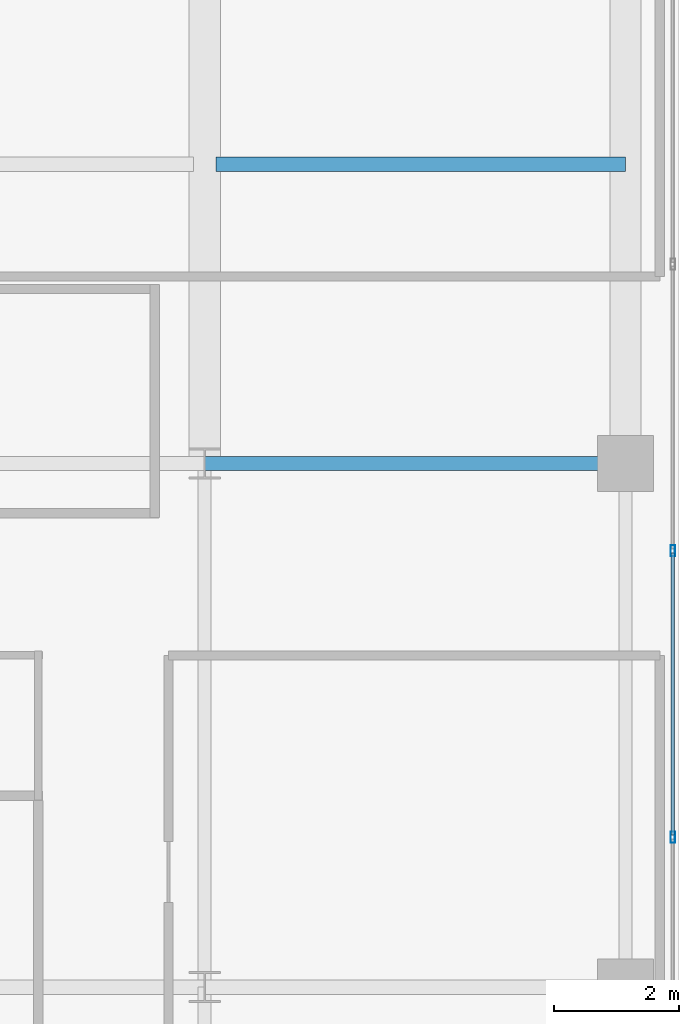
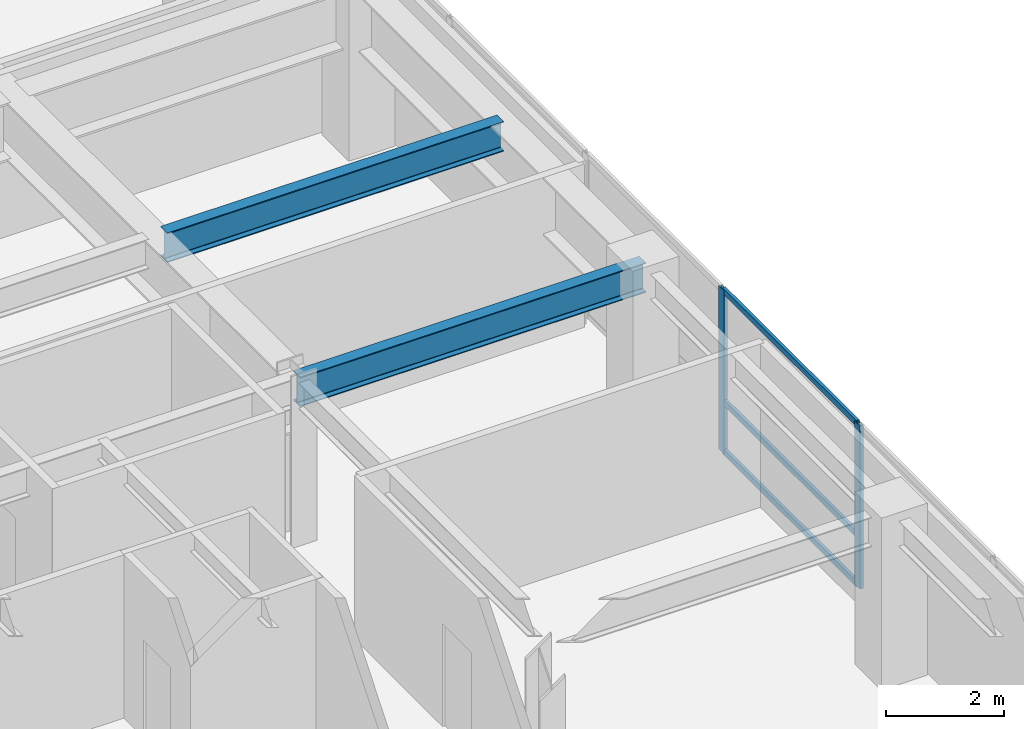
# One storey, part 11 of 25: 5 members, 2 beams, 1 element without a shape of its own.
"""IFC4 building model written with IfcOpenShell, lengths in metres."""

import ifcopenshell
import ifcopenshell.guid

model = None  # the IFC model being written
_history = None  # IfcOwnerHistory: only IFC2X3 demands one
_inside = {}  # id of a spatial element -> (the spatial element, [elements in it])
_under = {}  # id of a project, library or spatial element -> (it, [spatial elements below it])
_declared = {}  # id of a project -> (the project, [libraries it declares])
_typed = {}  # id of a type object -> (the type object, [elements of that type])
_made_of = {}  # id of a material, layer set ... -> (it, [elements and type objects made of it])


def new_model(schema):
    """Start an empty IFC model of exactly this schema.

    Asked for "IFC4X3", IfcOpenShell would pick the latest addendum, in which some entities
    have other attributes; the version numbers below select the first issue.
    IFC2X3 requires an IfcOwnerHistory on every rooted entity: one is made here for all.
    """
    global model, _history
    if schema == "IFC4X3":
        model = ifcopenshell.file(schema_version=(4, 3, 0, 0))
    else:
        model = ifcopenshell.file(schema=schema)
    _inside.clear()
    _under.clear()
    _declared.clear()
    _typed.clear()
    _made_of.clear()
    _history = None
    if model.schema == "IFC2X3":
        org = make("IfcOrganization", Name="unknown")
        user = make(
            "IfcPersonAndOrganization",
            ThePerson=make("IfcPerson", FamilyName="unknown"),
            TheOrganization=org,
        )
        app = make(
            "IfcApplication",
            ApplicationDeveloper=org,
            Version="unknown",
            ApplicationFullName="unknown",
            ApplicationIdentifier="unknown",
        )
        _history = make(
            "IfcOwnerHistory",
            OwningUser=user,
            OwningApplication=app,
            ChangeAction="ADDED",
            CreationDate=0,
        )
    return model


def make(cls, **values):
    """One entity of the class cls with the attributes given. An attribute that is None is left unset."""
    return model.create_entity(
        cls, **{name: value for name, value in values.items() if value is not None}
    )


def rooted(cls, **values):
    """An entity with a GlobalId (a new one), such as an element, a storey or a relation."""
    return make(cls, GlobalId=ifcopenshell.guid.new(), OwnerHistory=_history, **values)


def si_unit(unit_type, name, prefix=None):
    """IfcSIUnit, for example si_unit("LENGTHUNIT", "METRE", prefix="MILLI")."""
    return make("IfcSIUnit", UnitType=unit_type, Prefix=prefix, Name=name)


def assignment(units):
    """IfcUnitAssignment: the units of a project."""
    return None if units is None else make("IfcUnitAssignment", Units=units)


def point(xyz):
    """IfcCartesianPoint."""
    return None if xyz is None else make("IfcCartesianPoint", Coordinates=xyz)


def direction(xyz):
    """IfcDirection."""
    return None if xyz is None else make("IfcDirection", DirectionRatios=xyz)


def frame(location, z_axis=None, x_axis=None):
    """IfcAxis2Placement3D, a coordinate frame: its origin and axes. An axis left out is left unset."""
    return make(
        "IfcAxis2Placement3D",
        Location=point(location),
        Axis=direction(z_axis),
        RefDirection=direction(x_axis),
    )


def frame_2d(location, x_axis=None):
    """IfcAxis2Placement2D, a coordinate frame in the plane: its origin and x axis."""
    return make(
        "IfcAxis2Placement2D", Location=point(location), RefDirection=direction(x_axis)
    )


def origin():
    """The frame at (0, 0, 0) with its axes left unset."""
    return frame((0.0, 0.0, 0.0))


def origin_2d():
    """The frame at (0, 0) in the plane with its x axis left unset."""
    return frame_2d((0.0, 0.0))


def place(relative_to, where):
    """IfcLocalPlacement: puts the frame where relative to a parent placement (None: the world)."""
    return make(
        "IfcLocalPlacement", PlacementRelTo=relative_to, RelativePlacement=where
    )


def context(
    kind, dimensions, precision=None, world=None, true_north=None, identifier=None
):
    """IfcGeometricRepresentationContext, for example the 3D "Model" context."""
    return make(
        "IfcGeometricRepresentationContext",
        ContextIdentifier=identifier,
        ContextType=kind,
        CoordinateSpaceDimension=dimensions,
        Precision=precision,
        WorldCoordinateSystem=world,
        TrueNorth=true_north,
    )


def subcontext(parent, identifier, kind, view, scale=None):
    """IfcGeometricRepresentationSubContext, for example "Body" below "Model"."""
    return make(
        "IfcGeometricRepresentationSubContext",
        ContextIdentifier=identifier,
        ContextType=kind,
        ParentContext=parent,
        TargetScale=scale,
        TargetView=view,
    )


def project(units=None, contexts=None):
    """IfcProject with its units and contexts."""
    return rooted(
        "IfcProject",
        Name="project",
        RepresentationContexts=contexts,
        UnitsInContext=assignment(units),
    )


def spatial(cls, under=None, at=None, **own):
    """A site, building, storey or space (cls), placed at a placement, below another one or the project."""
    s = rooted(cls, ObjectPlacement=at, **own)
    if under is not None:
        _under.setdefault(under.id(), (under, []))[1].append(s)
    return s


def profile(cls, at=None, kind="AREA", **sizes):
    """A parametric profile (cls). Its sizes go by their IFC names, for example OverallWidth=200.0."""
    return make(cls, ProfileType=kind, Position=at, **sizes)


def hollow_rectangle(**sizes):
    """IfcRectangleHollowProfileDef."""
    return profile("IfcRectangleHollowProfileDef", **sizes)


def i_section(**sizes):
    """IfcIShapeProfileDef."""
    return profile("IfcIShapeProfileDef", **sizes)


def extrude(swept, where, along, depth):
    """IfcExtrudedAreaSolid: the profile swept, set in the frame where, extruded along a direction by depth."""
    return make(
        "IfcExtrudedAreaSolid",
        SweptArea=swept,
        Position=where,
        ExtrudedDirection=direction(along),
        Depth=depth,
    )


def shape(context_of_items, identifier, shape_type, items):
    """IfcShapeRepresentation: the items that make up one representation, for example the "Body"."""
    return make(
        "IfcShapeRepresentation",
        ContextOfItems=context_of_items,
        RepresentationIdentifier=identifier,
        RepresentationType=shape_type,
        Items=items,
    )


def source(mapping_origin, context_of_items, identifier, shape_type, items):
    """IfcRepresentationMap: a shape defined once, which mapped items show again and again."""
    return make(
        "IfcRepresentationMap",
        MappingOrigin=mapping_origin,
        MappedRepresentation=shape(context_of_items, identifier, shape_type, items),
    )


def transform(
    local_origin,
    x_axis=None,
    y_axis=None,
    z_axis=None,
    scale=None,
    scale2=None,
    scale3=None,
    uniform=True,
):
    """IfcCartesianTransformationOperator3D, or its non-uniform kind. x_axis, y_axis, z_axis: its Axis1, 2, 3."""
    if uniform:
        return make(
            "IfcCartesianTransformationOperator3D",
            Axis1=direction(x_axis),
            Axis2=direction(y_axis),
            LocalOrigin=point(local_origin),
            Scale=scale,
            Axis3=direction(z_axis),
        )
    return make(
        "IfcCartesianTransformationOperator3DnonUniform",
        Axis1=direction(x_axis),
        Axis2=direction(y_axis),
        LocalOrigin=point(local_origin),
        Scale=scale,
        Axis3=direction(z_axis),
        Scale2=scale2,
        Scale3=scale3,
    )


def mapped(mapping_source, mapping_target):
    """IfcMappedItem: shows the shape of a source again, moved by a transform."""
    return make(
        "IfcMappedItem", MappingSource=mapping_source, MappingTarget=mapping_target
    )


def material(Name=None, Category=None):
    """IfcMaterial."""
    return make("IfcMaterial", Name=Name, Category=Category)


def layer(
    of_material, thickness, ventilated=None, Name=None, Category=None, Priority=None
):
    """IfcMaterialLayer: one layer of a wall or slab, of a material (None: an air gap)."""
    return make(
        "IfcMaterialLayer",
        Material=of_material,
        LayerThickness=thickness,
        IsVentilated=ventilated,
        Name=Name,
        Category=Category,
        Priority=Priority,
    )


def layer_set(layers, Name=None):
    """IfcMaterialLayerSet."""
    return make("IfcMaterialLayerSet", MaterialLayers=layers, LayerSetName=Name)


def material_profile(
    of_material, cross_section, Name=None, Category=None, Priority=None
):
    """IfcMaterialProfile: a cross section and its material."""
    return make(
        "IfcMaterialProfile",
        Name=Name,
        Material=of_material,
        Profile=cross_section,
        Priority=Priority,
        Category=Category,
    )


def profile_set(profiles, Name=None, composite=None):
    """IfcMaterialProfileSet."""
    return make(
        "IfcMaterialProfileSet",
        Name=Name,
        MaterialProfiles=profiles,
        CompositeProfile=composite,
    )


def made_of(thing, what):
    """Note that an element or type object is made of a material, layer set ...; save() writes the relation."""
    if what is not None:
        _made_of.setdefault(what.id(), (what, []))[1].append(thing)
    return thing


def type_object(cls, material=None, **own):
    """A type object (cls), such as IfcWallType, which elements share."""
    return made_of(rooted(cls, **own), material)


def type_shapes(of_type, sources):
    """Give a type object the sources (RepresentationMaps) that its elements show as mapped items."""
    of_type.RepresentationMaps = sources


def element(
    cls,
    number,
    at=None,
    inside=None,
    cuts=None,
    type_object=None,
    material=None,
    context=None,
    identifier="Body",
    shape_type=None,
    held_by="IfcProductDefinitionShape",
    body=None,
    shapes=None,
    **own,
):
    """One element of the class cls, such as IfcWall. Its Tag is "e" and its number.

    at: its placement. inside: the storey or other place that contains it. cuts: it is an
    opening in that element (IfcRelVoidsElement). A single representation is given by context,
    identifier, shape_type and body (its items); several are given by shapes. held_by: the class
    of the entity that holds the representations. save() writes the other relations.
    """
    e = rooted(cls, Tag="e%d" % number, ObjectPlacement=at, **own)
    if body is not None:
        shapes = [shape(context, identifier, shape_type, body)]
    if shapes is not None:
        e.Representation = make(held_by, Representations=shapes)
    if inside is not None:
        _inside.setdefault(inside.id(), (inside, []))[1].append(e)
    if cuts is not None:
        rooted(
            "IfcRelVoidsElement", RelatingBuildingElement=cuts, RelatedOpeningElement=e
        )
    if type_object is not None:
        _typed.setdefault(type_object.id(), (type_object, []))[1].append(e)
    return made_of(e, material)


def aggregate(whole, parts):
    """IfcRelAggregates: a whole, such as a stair, and the parts it consists of."""
    return rooted("IfcRelAggregates", RelatingObject=whole, RelatedObjects=parts)


def save(model, path):
    """Write the relations noted so far, then the file.

    IfcRelAggregates (storeys below a building ...), IfcRelContainedInSpatialStructure (elements
    in a storey), IfcRelDefinesByType, IfcRelAssociatesMaterial and IfcRelDeclares: one each for
    every whole, place, type object, material and project.
    """
    for whole, parts in _under.values():
        aggregate(whole, parts)
    for where, things in _inside.values():
        rooted(
            "IfcRelContainedInSpatialStructure",
            RelatedElements=things,
            RelatingStructure=where,
        )
    for kind, things in _typed.values():
        rooted("IfcRelDefinesByType", RelatedObjects=things, RelatingType=kind)
    for what, things in _made_of.values():
        rooted("IfcRelAssociatesMaterial", RelatedObjects=things, RelatingMaterial=what)
    for by, libraries in _declared.values():
        rooted("IfcRelDeclares", RelatingContext=by, RelatedDefinitions=libraries)
    model.write(path)


model = new_model("IFC4")

# Units and contexts
model_context = context("Model", 3, precision=1e-05, world=origin(), true_north=direction((0.0, 1.0)))
body_context = subcontext(model_context, "Body", "Model", "MODEL_VIEW")
ifc_project = project(units=[si_unit("LENGTHUNIT", "METRE"), si_unit("AREAUNIT", "SQUARE_METRE"), si_unit("VOLUMEUNIT", "CUBIC_METRE"), si_unit("PLANEANGLEUNIT", "RADIAN"), si_unit("MASSUNIT", "GRAM", prefix="KILO")], contexts=[model_context])

# Site, building, storey
site_placement = place(None, origin())
site = spatial("IfcSite", under=ifc_project, at=site_placement, CompositionType="ELEMENT")
building_placement = place(site_placement, origin())
building = spatial("IfcBuilding", under=site, at=building_placement, Name="Tolvann Quenvar Hotel", CompositionType="ELEMENT")
storey_placement = place(building_placement, frame((0.0, 0.0, 122.199951171875)))
storey = spatial("IfcBuildingStorey", under=building, at=storey_placement, Name="L31", CompositionType="ELEMENT", Elevation=122.199951171875)

# Beams
ifc_material_1 = material(Name="Steel Grade 350", Category="steel")
ifc_material_profile_1 = material_profile(ifc_material_1, i_section(OverallWidth=0.22900390625, OverallDepth=0.612060546875, WebThickness=0.011962890625, FlangeThickness=0.01953125, FilletRadius=0.013916015625, at=origin_2d()), Name="610UB125")
ifc_profile_set_1 = profile_set([ifc_material_profile_1], Name="Steel Grade 350")
beam_type = type_object("IfcBeamType", Name="BM_GIRD_610UB125", PredefinedType="BEAM", material=ifc_profile_set_1)
shared_shape_1 = source(origin(), body_context, "Body", "SweptSolid", [
    extrude(i_section(OverallWidth=0.22900390625, OverallDepth=0.612060546875, WebThickness=0.011962890625, FlangeThickness=0.01953125, FilletRadius=0.013916015625, at=origin_2d()), origin(), (0.0, 0.0, 1.0), 6.75),
])
beam_1_placement = place(storey_placement, frame((49.39990234375, 24.39990234375, 3.06396484375), z_axis=(1.0, 0.0, 0.0), x_axis=(0.0, 1.0, 0.0)))
element("IfcBeam", 1, at=beam_1_placement, inside=storey, type_object=beam_type, Name="BM-L31-EW-5-I5-J5", PredefinedType="BEAM", context=body_context, shape_type="MappedRepresentation", body=[
    mapped(shared_shape_1, transform((0.0, 0.0, 0.0), x_axis=(1.0, 0.0, 0.0), y_axis=(0.0, 1.0, 0.0), z_axis=(0.0, 0.0, 1.0), scale=1.0)),
])
shared_shape_2 = source(origin(), body_context, "Body", "SweptSolid", [
    extrude(i_section(OverallWidth=0.22900390625, OverallDepth=0.612060546875, WebThickness=0.011962890625, FlangeThickness=0.01953125, FilletRadius=0.013916015625, at=origin_2d()), origin(), (0.0, 0.0, 1.0), 6.56982421875),
])
type_shapes(beam_type, [shared_shape_1, shared_shape_2])
beam_2_placement = place(storey_placement, frame((49.580078125, 29.199951171875, 3.06396484375), z_axis=(1.0, 0.0, 0.0), x_axis=(0.0, 1.0, 0.0)))
element("IfcBeam", 2, at=beam_2_placement, inside=storey, type_object=beam_type, Name="BM-L31-EW-IJ29", PredefinedType="BEAM", context=body_context, shape_type="MappedRepresentation", body=[
    mapped(shared_shape_2, transform((0.0, 0.0, 0.0), x_axis=(1.0, 0.0, 0.0), y_axis=(0.0, 1.0, 0.0), z_axis=(0.0, 0.0, 1.0), scale=1.0)),
])

# Curtain wall, members
ifc_material_2 = material(Name="Thermally broken anodised architectural aluminium 6063-T6 and laminated low-E glass", Category="aluminium")
ifc_layer = layer(ifc_material_2, 0.179931640625)
ifc_layer_set = layer_set([ifc_layer], Name="Thermally broken anodised architectural aluminium 6063-T6 and laminated low-E glass")
curtain_wall_type = type_object("IfcCurtainWallType", Name="CW_SYS_BAND_04", PredefinedType="USERDEFINED", material=ifc_layer_set)
curtain_wall_placement = place(storey_placement, origin())
curtain_wall = element("IfcCurtainWall", 3, at=curtain_wall_placement, inside=storey, type_object=curtain_wall_type, Name="Curtain Wall CW-BAND-04 (CWR-L31-E13)", ObjectType="UNITISED CURTAIN WALL", PredefinedType="USERDEFINED")
ifc_material_3 = material(Name="Anodised architectural aluminium 6063-T6 framing", Category="aluminium")
ifc_material_profile_2 = material_profile(ifc_material_3, hollow_rectangle(XDim=0.070068359375, YDim=0.179931640625, WallThickness=0.00390625, at=origin_2d()), Name="180x70x4RHS")
ifc_profile_set_2 = profile_set([ifc_material_profile_2], Name="Anodised architectural aluminium 6063-T6 framing")
member_type_1 = type_object("IfcMemberType", Name="CW_MULL_180x70", PredefinedType="MULLION", material=ifc_profile_set_2)
shared_shape_3 = source(origin(), body_context, "Body", "SweptSolid", [
    extrude(hollow_rectangle(XDim=0.070068359375, YDim=0.179931640625, WallThickness=0.00390625, at=origin_2d()), origin(), (0.0, 0.0, 1.0), 3.3701171875),
])
type_shapes(member_type_1, [shared_shape_3])
member_1_placement = place(storey_placement, frame((56.909912109375, 18.404296875, 0.0), z_axis=(0.0, 0.0, 1.0), x_axis=(-1.0, 0.0, 0.0)))
member_1 = element("IfcMember", 4, at=member_1_placement, type_object=member_type_1, Name="CW-BAND-04 mullion 4", PredefinedType="MULLION", context=body_context, shape_type="MappedRepresentation", body=[
    mapped(shared_shape_3, transform((0.0, 0.0, 0.0), x_axis=(1.0, 0.0, 0.0), y_axis=(0.0, 1.0, 0.0), z_axis=(0.0, 0.0, 1.0), scale=1.0)),
])
member_2_placement = place(storey_placement, frame((56.909912109375, 23.0, 0.0), z_axis=(0.0, 0.0, 1.0), x_axis=(-1.0, 0.0, 0.0)))
member_2 = element("IfcMember", 5, at=member_2_placement, type_object=member_type_1, Name="CW-BAND-04 mullion 5", PredefinedType="MULLION", context=body_context, shape_type="MappedRepresentation", body=[
    mapped(shared_shape_3, transform((0.0, 0.0, 0.0), x_axis=(1.0, 0.0, 0.0), y_axis=(0.0, 1.0, 0.0), z_axis=(0.0, 0.0, 1.0), scale=1.0)),
])
ifc_material_profile_3 = material_profile(ifc_material_3, hollow_rectangle(XDim=0.06005859375, YDim=0.1201171875, WallThickness=0.00341796875, at=origin_2d()), Name="120x60x3.5RHS")
ifc_profile_set_3 = profile_set([ifc_material_profile_3], Name="Anodised architectural aluminium 6063-T6 framing")
member_type_2 = type_object("IfcMemberType", Name="CW_TRAN_120x60", PredefinedType="USERDEFINED", material=ifc_profile_set_3)
shared_shape_4 = source(origin(), body_context, "Body", "SweptSolid", [
    extrude(hollow_rectangle(XDim=0.06005859375, YDim=0.1201171875, WallThickness=0.00341796875, at=origin_2d()), origin(), (0.0, 0.0, 1.0), 4.52587890625),
])
type_shapes(member_type_2, [shared_shape_4])
member_3_placement = place(storey_placement, frame((56.909912109375, 18.439208984375, 0.030029296875), z_axis=(0.0, 1.0, 0.0), x_axis=(-1.0, 0.0, 0.0)))
member_3 = element("IfcMember", 6, at=member_3_placement, type_object=member_type_2, Name="CW-BAND-04 transom 4.1", ObjectType="TRANSOM", PredefinedType="USERDEFINED", context=body_context, shape_type="MappedRepresentation", body=[
    mapped(shared_shape_4, transform((0.0, 0.0, 0.0), x_axis=(1.0, 0.0, 0.0), y_axis=(0.0, 1.0, 0.0), z_axis=(0.0, 0.0, 1.0), scale=1.0)),
])
member_4_placement = place(storey_placement, frame((56.909912109375, 18.439208984375, 1.050048828125), z_axis=(0.0, 1.0, 0.0), x_axis=(-1.0, 0.0, 0.0)))
member_4 = element("IfcMember", 7, at=member_4_placement, type_object=member_type_2, Name="CW-BAND-04 transom 4.2", ObjectType="TRANSOM", PredefinedType="USERDEFINED", context=body_context, shape_type="MappedRepresentation", body=[
    mapped(shared_shape_4, transform((0.0, 0.0, 0.0), x_axis=(1.0, 0.0, 0.0), y_axis=(0.0, 1.0, 0.0), z_axis=(0.0, 0.0, 1.0), scale=1.0)),
])
member_5_placement = place(storey_placement, frame((56.909912109375, 18.439208984375, 3.340087890625), z_axis=(0.0, 1.0, 0.0), x_axis=(-1.0, 0.0, 0.0)))
member_5 = element("IfcMember", 8, at=member_5_placement, type_object=member_type_2, Name="CW-BAND-04 transom 4.3", ObjectType="TRANSOM", PredefinedType="USERDEFINED", context=body_context, shape_type="MappedRepresentation", body=[
    mapped(shared_shape_4, transform((0.0, 0.0, 0.0), x_axis=(1.0, 0.0, 0.0), y_axis=(0.0, 1.0, 0.0), z_axis=(0.0, 0.0, 1.0), scale=1.0)),
])
aggregate(curtain_wall, [member_1, member_2, member_3, member_4, member_5])

save(model, "model.ifc")
